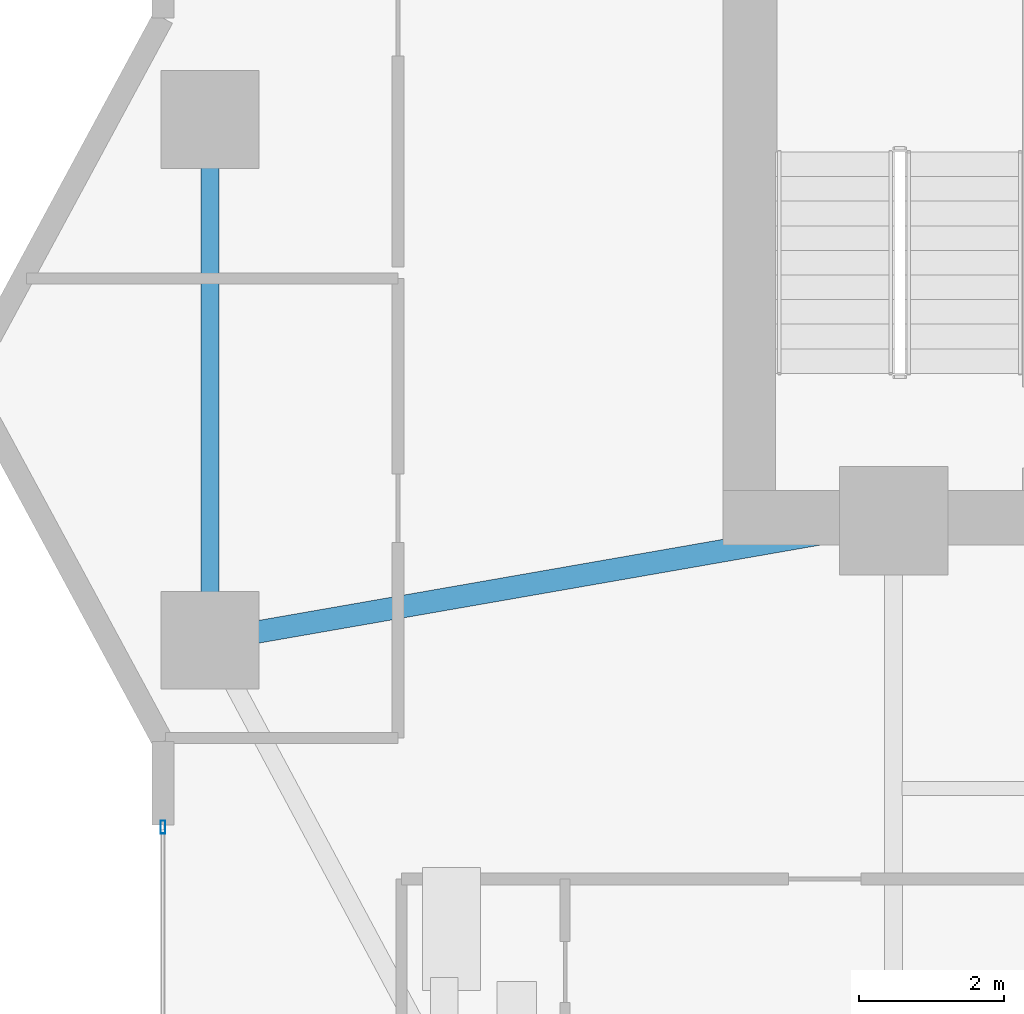
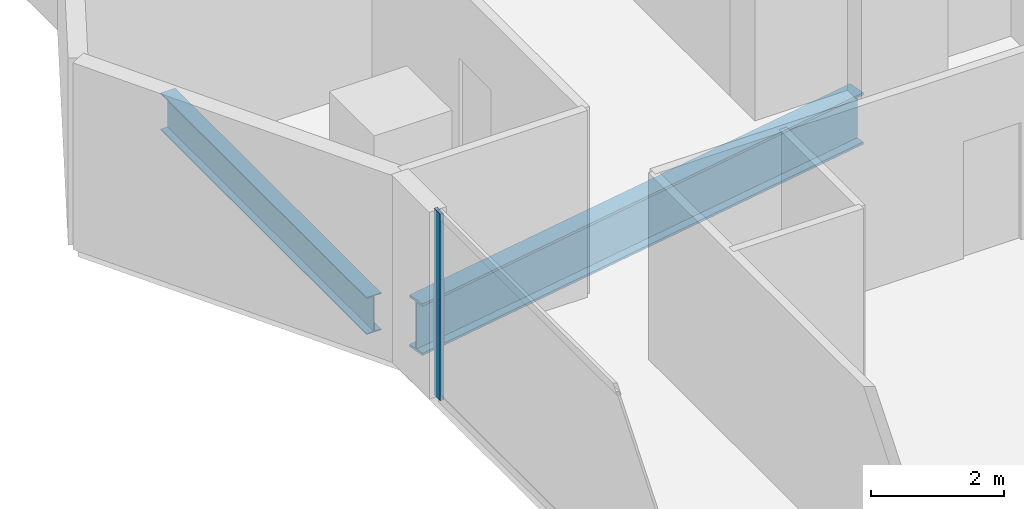
# One storey, part 7 of 27: 2 beams, 1 member, 1 element without a shape of its own.
"""IFC4 building model written with IfcOpenShell, lengths in metres."""

from ifc_helpers import new_model, si_unit, direction, frame, origin, origin_2d, place, context, subcontext, project, spatial, hollow_rectangle, i_section, extrude, material, layer, layer_set, material_profile, profile_set, type_object, element, aggregate, save


model = new_model("IFC4")

# Units and contexts
model_context = context("Model", 3, precision=1e-05, world=origin(), true_north=direction((0.0, 1.0)))
body_context = subcontext(model_context, "Body", "Model", "MODEL_VIEW")
ifc_project = project(units=[si_unit("LENGTHUNIT", "METRE"), si_unit("AREAUNIT", "SQUARE_METRE"), si_unit("VOLUMEUNIT", "CUBIC_METRE"), si_unit("PLANEANGLEUNIT", "RADIAN"), si_unit("MASSUNIT", "GRAM", prefix="KILO")], contexts=[model_context])

# Site, building, storey
site_placement = place(None, origin())
site = spatial("IfcSite", under=ifc_project, at=site_placement, CompositionType="ELEMENT")
building_placement = place(site_placement, origin())
building = spatial("IfcBuilding", under=site, at=building_placement, Name="Zuhayl Quay Hotel", CompositionType="ELEMENT")
storey_placement = place(building_placement, frame((0.0, 0.0, 102.949951171875)))
storey = spatial("IfcBuildingStorey", under=building, at=storey_placement, Name="L25", CompositionType="ELEMENT", Elevation=102.949951171875)

# Beams
ifc_material_1 = material(Name="Steel ASTM A992 Grade 50", Category="steel")
ifc_material_profile_1 = material_profile(ifc_material_1, i_section(OverallWidth=0.25390625, OverallDepth=0.68310546875, WebThickness=0.012451171875, FlangeThickness=0.018798828125, at=origin_2d()), Name="W27X94")
ifc_profile_set_1 = profile_set([ifc_material_profile_1], Name="Steel ASTM A992 Grade 50")
beam_type_1 = type_object("IfcBeamType", Name="BM_B2_W27X94", PredefinedType="BEAM", material=ifc_profile_set_1)
beam_1_placement = place(storey_placement, frame((-23.25, 9.60009765625, -0.5615234375), z_axis=(0.0, -1.0, 0.0), x_axis=(1.0, 0.0, 0.0)))
element("IfcBeam", 1, at=beam_1_placement, inside=storey, type_object=beam_type_1, Name="L25 Floor Beam RG_L25_11", PredefinedType="BEAM", context=body_context, shape_type="SweptSolid", body=[
    extrude(i_section(OverallWidth=0.25390625, OverallDepth=0.68310546875, WebThickness=0.012451171875, FlangeThickness=0.018798828125, at=origin_2d()), origin(), (0.0, 0.0, 1.0), 6.2001953125),
])
ifc_material_profile_2 = material_profile(ifc_material_1, i_section(OverallWidth=0.31005859375, OverallDepth=0.949951171875, WebThickness=0.0244140625, FlangeThickness=0.0439453125, at=origin_2d()), Name="W36X256")
ifc_profile_set_2 = profile_set([ifc_material_profile_2], Name="Steel ASTM A992 Grade 50")
beam_type_2 = type_object("IfcBeamType", Name="BM_PG1_W36X256", PredefinedType="BEAM", material=ifc_profile_set_2)
beam_2_placement = place(storey_placement, frame((-22.757568359375, 2.986083984375, -0.695068359375), z_axis=(0.985097302632, 0.171997977741, 0.0), x_axis=(-0.171997977741, 0.985097302632, 0.0)))
element("IfcBeam", 2, at=beam_2_placement, inside=storey, type_object=beam_type_2, Name="L25 Floor Beam FG_W_L25_1", PredefinedType="BEAM", context=body_context, shape_type="SweptSolid", body=[
    extrude(i_section(OverallWidth=0.31005859375, OverallDepth=0.949951171875, WebThickness=0.0244140625, FlangeThickness=0.0439453125, at=origin_2d()), origin(), (0.0, 0.0, 1.0), 8.64306640625),
])

# Curtain wall, member
ifc_material_2 = material(Name="Anodised Aluminium 6063-T6", Category="aluminium")
ifc_layer = layer(ifc_material_2, 0.179931640625, Name="Anodised Aluminium 6063-T6", Category="aluminium")
ifc_layer_set = layer_set([ifc_layer], Name="Anodised Aluminium 6063-T6")
curtain_wall_type = type_object("IfcCurtainWallType", Name="CW_SYS_Z2", PredefinedType="USERDEFINED", material=ifc_layer_set)
curtain_wall_placement = place(storey_placement, origin())
curtain_wall = element("IfcCurtainWall", 3, at=curtain_wall_placement, inside=storey, type_object=curtain_wall_type, Name="L25 Curtain Wall ENV_L25_E02_CW1", ObjectType="UNITISED CURTAIN WALL", PredefinedType="USERDEFINED")
ifc_material_3 = material(Name="Black-anodised aluminium 6063-T6", Category="aluminium")
ifc_material_profile_3 = material_profile(ifc_material_3, hollow_rectangle(XDim=0.06494140625, YDim=0.179931640625, WallThickness=0.00341796875, at=origin_2d()), Name="ALU180X65")
ifc_profile_set_3 = profile_set([ifc_material_profile_3], Name="Black-anodised aluminium 6063-T6")
member_type = type_object("IfcMemberType", Name="MB_CW_MUL_180", PredefinedType="MULLION", material=ifc_profile_set_3)
member_placement = place(storey_placement, frame((-23.89990234375, 0.3173828125, 0.0), z_axis=(0.0, 0.0, 1.0), x_axis=(-1.0, 0.0, 0.0)))
member = element("IfcMember", 4, at=member_placement, type_object=member_type, Name="CW-Z2 mullion 2", PredefinedType="MULLION", context=body_context, shape_type="SweptSolid", body=[
    extrude(hollow_rectangle(XDim=0.06494140625, YDim=0.179931640625, WallThickness=0.00341796875, at=origin_2d()), origin(), (0.0, 0.0, 1.0), 3.429931640625),
])
aggregate(curtain_wall, [member])

save(model, "model.ifc")
